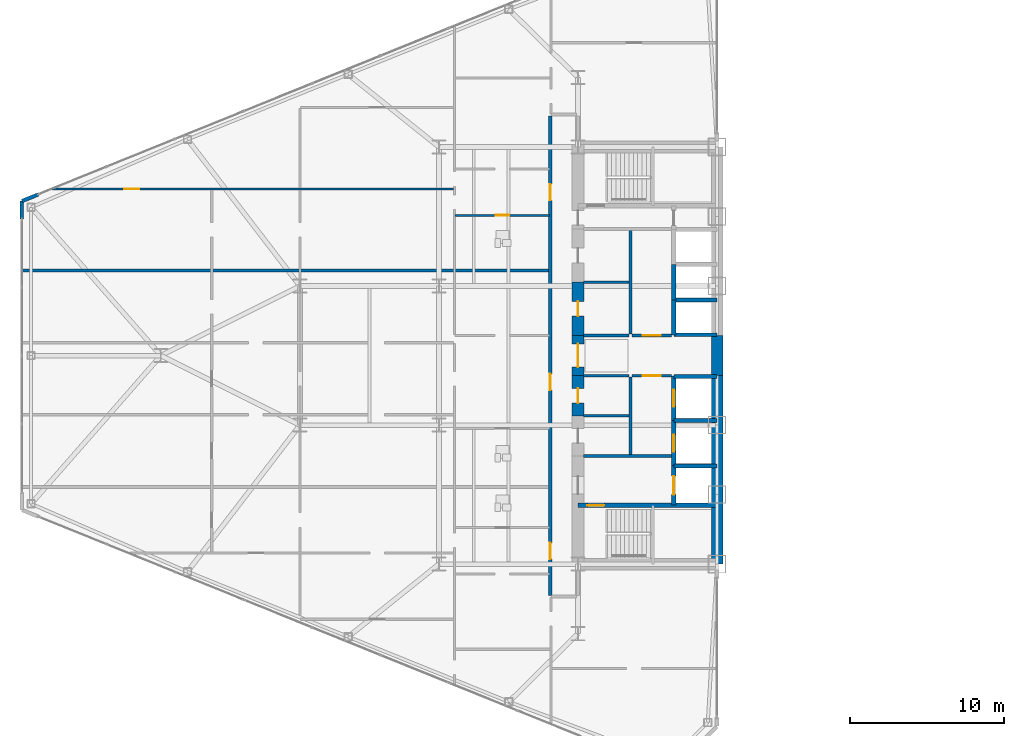
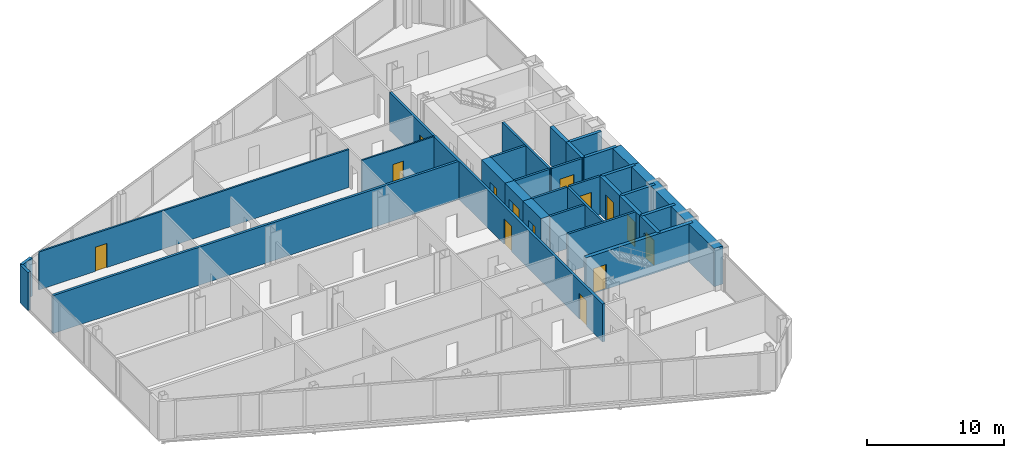
# One storey, part 18 of 25: 31 walls, 14 doors, 14 openings.
"""IFC4 building model written with IfcOpenShell, lengths in metres."""

import ifcopenshell
import ifcopenshell.guid

model = None  # the IFC model being written
_history = None  # IfcOwnerHistory: only IFC2X3 demands one
_inside = {}  # id of a spatial element -> (the spatial element, [elements in it])
_under = {}  # id of a project, library or spatial element -> (it, [spatial elements below it])
_declared = {}  # id of a project -> (the project, [libraries it declares])
_typed = {}  # id of a type object -> (the type object, [elements of that type])
_made_of = {}  # id of a material, layer set ... -> (it, [elements and type objects made of it])


def new_model(schema):
    """Start an empty IFC model of exactly this schema.

    Asked for "IFC4X3", IfcOpenShell would pick the latest addendum, in which some entities
    have other attributes; the version numbers below select the first issue.
    IFC2X3 requires an IfcOwnerHistory on every rooted entity: one is made here for all.
    """
    global model, _history
    if schema == "IFC4X3":
        model = ifcopenshell.file(schema_version=(4, 3, 0, 0))
    else:
        model = ifcopenshell.file(schema=schema)
    _inside.clear()
    _under.clear()
    _declared.clear()
    _typed.clear()
    _made_of.clear()
    _history = None
    if model.schema == "IFC2X3":
        org = make("IfcOrganization", Name="unknown")
        user = make(
            "IfcPersonAndOrganization",
            ThePerson=make("IfcPerson", FamilyName="unknown"),
            TheOrganization=org,
        )
        app = make(
            "IfcApplication",
            ApplicationDeveloper=org,
            Version="unknown",
            ApplicationFullName="unknown",
            ApplicationIdentifier="unknown",
        )
        _history = make(
            "IfcOwnerHistory",
            OwningUser=user,
            OwningApplication=app,
            ChangeAction="ADDED",
            CreationDate=0,
        )
    return model


def make(cls, **values):
    """One entity of the class cls with the attributes given. An attribute that is None is left unset."""
    return model.create_entity(
        cls, **{name: value for name, value in values.items() if value is not None}
    )


def rooted(cls, **values):
    """An entity with a GlobalId (a new one), such as an element, a storey or a relation."""
    return make(cls, GlobalId=ifcopenshell.guid.new(), OwnerHistory=_history, **values)


def si_unit(unit_type, name, prefix=None):
    """IfcSIUnit, for example si_unit("LENGTHUNIT", "METRE", prefix="MILLI")."""
    return make("IfcSIUnit", UnitType=unit_type, Prefix=prefix, Name=name)


def assignment(units):
    """IfcUnitAssignment: the units of a project."""
    return None if units is None else make("IfcUnitAssignment", Units=units)


def point(xyz):
    """IfcCartesianPoint."""
    return None if xyz is None else make("IfcCartesianPoint", Coordinates=xyz)


def direction(xyz):
    """IfcDirection."""
    return None if xyz is None else make("IfcDirection", DirectionRatios=xyz)


def frame(location, z_axis=None, x_axis=None):
    """IfcAxis2Placement3D, a coordinate frame: its origin and axes. An axis left out is left unset."""
    return make(
        "IfcAxis2Placement3D",
        Location=point(location),
        Axis=direction(z_axis),
        RefDirection=direction(x_axis),
    )


def frame_2d(location, x_axis=None):
    """IfcAxis2Placement2D, a coordinate frame in the plane: its origin and x axis."""
    return make(
        "IfcAxis2Placement2D", Location=point(location), RefDirection=direction(x_axis)
    )


def origin():
    """The frame at (0, 0, 0) with its axes left unset."""
    return frame((0.0, 0.0, 0.0))


def place(relative_to, where):
    """IfcLocalPlacement: puts the frame where relative to a parent placement (None: the world)."""
    return make(
        "IfcLocalPlacement", PlacementRelTo=relative_to, RelativePlacement=where
    )


def context(
    kind, dimensions, precision=None, world=None, true_north=None, identifier=None
):
    """IfcGeometricRepresentationContext, for example the 3D "Model" context."""
    return make(
        "IfcGeometricRepresentationContext",
        ContextIdentifier=identifier,
        ContextType=kind,
        CoordinateSpaceDimension=dimensions,
        Precision=precision,
        WorldCoordinateSystem=world,
        TrueNorth=true_north,
    )


def subcontext(parent, identifier, kind, view, scale=None):
    """IfcGeometricRepresentationSubContext, for example "Body" below "Model"."""
    return make(
        "IfcGeometricRepresentationSubContext",
        ContextIdentifier=identifier,
        ContextType=kind,
        ParentContext=parent,
        TargetScale=scale,
        TargetView=view,
    )


def project(units=None, contexts=None):
    """IfcProject with its units and contexts."""
    return rooted(
        "IfcProject",
        Name="project",
        RepresentationContexts=contexts,
        UnitsInContext=assignment(units),
    )


def spatial(cls, under=None, at=None, **own):
    """A site, building, storey or space (cls), placed at a placement, below another one or the project."""
    s = rooted(cls, ObjectPlacement=at, **own)
    if under is not None:
        _under.setdefault(under.id(), (under, []))[1].append(s)
    return s


def profile(cls, at=None, kind="AREA", **sizes):
    """A parametric profile (cls). Its sizes go by their IFC names, for example OverallWidth=200.0."""
    return make(cls, ProfileType=kind, Position=at, **sizes)


def rectangle(**sizes):
    """IfcRectangleProfileDef."""
    return profile("IfcRectangleProfileDef", **sizes)


def extrude(swept, where, along, depth):
    """IfcExtrudedAreaSolid: the profile swept, set in the frame where, extruded along a direction by depth."""
    return make(
        "IfcExtrudedAreaSolid",
        SweptArea=swept,
        Position=where,
        ExtrudedDirection=direction(along),
        Depth=depth,
    )


def shape(context_of_items, identifier, shape_type, items):
    """IfcShapeRepresentation: the items that make up one representation, for example the "Body"."""
    return make(
        "IfcShapeRepresentation",
        ContextOfItems=context_of_items,
        RepresentationIdentifier=identifier,
        RepresentationType=shape_type,
        Items=items,
    )


def source(mapping_origin, context_of_items, identifier, shape_type, items):
    """IfcRepresentationMap: a shape defined once, which mapped items show again and again."""
    return make(
        "IfcRepresentationMap",
        MappingOrigin=mapping_origin,
        MappedRepresentation=shape(context_of_items, identifier, shape_type, items),
    )


def transform(
    local_origin,
    x_axis=None,
    y_axis=None,
    z_axis=None,
    scale=None,
    scale2=None,
    scale3=None,
    uniform=True,
):
    """IfcCartesianTransformationOperator3D, or its non-uniform kind. x_axis, y_axis, z_axis: its Axis1, 2, 3."""
    if uniform:
        return make(
            "IfcCartesianTransformationOperator3D",
            Axis1=direction(x_axis),
            Axis2=direction(y_axis),
            LocalOrigin=point(local_origin),
            Scale=scale,
            Axis3=direction(z_axis),
        )
    return make(
        "IfcCartesianTransformationOperator3DnonUniform",
        Axis1=direction(x_axis),
        Axis2=direction(y_axis),
        LocalOrigin=point(local_origin),
        Scale=scale,
        Axis3=direction(z_axis),
        Scale2=scale2,
        Scale3=scale3,
    )


def mapped(mapping_source, mapping_target):
    """IfcMappedItem: shows the shape of a source again, moved by a transform."""
    return make(
        "IfcMappedItem", MappingSource=mapping_source, MappingTarget=mapping_target
    )


def material(Name=None, Category=None):
    """IfcMaterial."""
    return make("IfcMaterial", Name=Name, Category=Category)


def layer(
    of_material, thickness, ventilated=None, Name=None, Category=None, Priority=None
):
    """IfcMaterialLayer: one layer of a wall or slab, of a material (None: an air gap)."""
    return make(
        "IfcMaterialLayer",
        Material=of_material,
        LayerThickness=thickness,
        IsVentilated=ventilated,
        Name=Name,
        Category=Category,
        Priority=Priority,
    )


def layer_set(layers, Name=None):
    """IfcMaterialLayerSet."""
    return make("IfcMaterialLayerSet", MaterialLayers=layers, LayerSetName=Name)


def made_of(thing, what):
    """Note that an element or type object is made of a material, layer set ...; save() writes the relation."""
    if what is not None:
        _made_of.setdefault(what.id(), (what, []))[1].append(thing)
    return thing


def type_object(cls, material=None, **own):
    """A type object (cls), such as IfcWallType, which elements share."""
    return made_of(rooted(cls, **own), material)


def type_shapes(of_type, sources):
    """Give a type object the sources (RepresentationMaps) that its elements show as mapped items."""
    of_type.RepresentationMaps = sources


def element(
    cls,
    number,
    at=None,
    inside=None,
    cuts=None,
    type_object=None,
    material=None,
    context=None,
    identifier="Body",
    shape_type=None,
    held_by="IfcProductDefinitionShape",
    body=None,
    shapes=None,
    **own,
):
    """One element of the class cls, such as IfcWall. Its Tag is "e" and its number.

    at: its placement. inside: the storey or other place that contains it. cuts: it is an
    opening in that element (IfcRelVoidsElement). A single representation is given by context,
    identifier, shape_type and body (its items); several are given by shapes. held_by: the class
    of the entity that holds the representations. save() writes the other relations.
    """
    e = rooted(cls, Tag="e%d" % number, ObjectPlacement=at, **own)
    if body is not None:
        shapes = [shape(context, identifier, shape_type, body)]
    if shapes is not None:
        e.Representation = make(held_by, Representations=shapes)
    if inside is not None:
        _inside.setdefault(inside.id(), (inside, []))[1].append(e)
    if cuts is not None:
        rooted(
            "IfcRelVoidsElement", RelatingBuildingElement=cuts, RelatedOpeningElement=e
        )
    if type_object is not None:
        _typed.setdefault(type_object.id(), (type_object, []))[1].append(e)
    return made_of(e, material)


def fill(opening, filler):
    """IfcRelFillsElement: the door or window that sits in an opening."""
    return rooted(
        "IfcRelFillsElement",
        RelatingOpeningElement=opening,
        RelatedBuildingElement=filler,
    )


def aggregate(whole, parts):
    """IfcRelAggregates: a whole, such as a stair, and the parts it consists of."""
    return rooted("IfcRelAggregates", RelatingObject=whole, RelatedObjects=parts)


def save(model, path):
    """Write the relations noted so far, then the file.

    IfcRelAggregates (storeys below a building ...), IfcRelContainedInSpatialStructure (elements
    in a storey), IfcRelDefinesByType, IfcRelAssociatesMaterial and IfcRelDeclares: one each for
    every whole, place, type object, material and project.
    """
    for whole, parts in _under.values():
        aggregate(whole, parts)
    for where, things in _inside.values():
        rooted(
            "IfcRelContainedInSpatialStructure",
            RelatedElements=things,
            RelatingStructure=where,
        )
    for kind, things in _typed.values():
        rooted("IfcRelDefinesByType", RelatedObjects=things, RelatingType=kind)
    for what, things in _made_of.values():
        rooted("IfcRelAssociatesMaterial", RelatedObjects=things, RelatingMaterial=what)
    for by, libraries in _declared.values():
        rooted("IfcRelDeclares", RelatingContext=by, RelatedDefinitions=libraries)
    model.write(path)


model = new_model("IFC4")

# Units and contexts
model_context = context("Model", 3, precision=1e-05, world=origin(), true_north=direction((0.0, 1.0)))
body_context = subcontext(model_context, "Body", "Model", "MODEL_VIEW")
ifc_project = project(units=[si_unit("LENGTHUNIT", "METRE"), si_unit("AREAUNIT", "SQUARE_METRE"), si_unit("VOLUMEUNIT", "CUBIC_METRE"), si_unit("PLANEANGLEUNIT", "RADIAN"), si_unit("MASSUNIT", "GRAM", prefix="KILO")], contexts=[model_context])

# Site, building, storey
site_placement = place(None, origin())
site = spatial("IfcSite", under=ifc_project, at=site_placement, CompositionType="ELEMENT")
building_placement = place(site_placement, origin())
building = spatial("IfcBuilding", under=site, at=building_placement, Name="Seokmaru Belvedere", CompositionType="ELEMENT")
storey_placement = place(building_placement, frame((0.0, 0.0, 47.699951171875)))
storey = spatial("IfcBuildingStorey", under=building, at=storey_placement, Name="L12", CompositionType="ELEMENT", Elevation=47.699951171875)

# Wall, opening, door
ifc_material_1 = material(Name="Fire-Rated Gypsum Shaftwall")
ifc_layer_1 = layer(ifc_material_1, 0.14990234375)
ifc_layer_set_1 = layer_set([ifc_layer_1], Name="Fire-Rated Gypsum Shaftwall")
wall_type_1 = type_object("IfcWallType", Name="Apartment Fire-Acoustic Room Partition 150", PredefinedType="PARTITIONING", material=ifc_layer_set_1)
wall_1_placement = place(storey_placement, frame((-70.613037109375, 10.780029296875, 0.0), z_axis=(0.0, 0.0, 1.0), x_axis=(1.0, 0.0, 0.0)))
wall_1 = element("IfcWall", 1, at=wall_1_placement, inside=storey, type_object=wall_type_1, Name="L12 Interior Partition 026", PredefinedType="PARTITIONING", context=body_context, shape_type="SweptSolid", body=[
    extrude(rectangle(XDim=26.06298828125, YDim=0.14990234375, at=frame_2d((13.031494140625, 0.0))), origin(), (0.0, 0.0, 1.0), 3.380126953125),
])
opening_1_placement = place(wall_1_placement, frame((4.748779296875, 0.0, 0.0)))
opening_1 = element("IfcOpeningElement", 2, at=opening_1_placement, cuts=wall_1, Name="Opening D05", PredefinedType="OPENING", context=body_context, shape_type="SweptSolid", body=[
    extrude(rectangle(XDim=0.949951171875, YDim=2.14990234375, at=frame_2d((0.47509765625, 1.074951171875))), frame((0.0, 0.0849609375, 0.0), z_axis=(0.0, -1.0, 0.0), x_axis=(1.0, 0.0, 0.0)), (0.0, 0.0, 1.0), 0.169921875),
])
ifc_material_2 = material(Name="Engineered White Oak Timber", Category="wood")
door_type_1 = type_object("IfcDoorType", Name="Apartment Interior Fire-Rated Oak Door 950x2150", OperationType="NOTDEFINED", PredefinedType="DOOR", material=ifc_material_2)
shared_shape_1 = source(origin(), body_context, "Body", "SweptSolid", [
    extrude(rectangle(XDim=0.949951171875, YDim=2.14990234375, at=frame_2d((0.47509765625, 1.074951171875))), frame((0.0, 0.02490234375, 0.0), z_axis=(0.0, -1.0, 0.0), x_axis=(1.0, 0.0, 0.0)), (0.0, 0.0, 1.0), 0.050048828125),
])
type_shapes(door_type_1, [shared_shape_1])
door_1_placement = place(opening_1_placement, origin())
door_1 = element("IfcDoor", 3, at=door_1_placement, inside=storey, type_object=door_type_1, Name="L12 Interior Door 032", OperationType="SINGLE_SWING_LEFT", OverallHeight=2.14990234375, OverallWidth=0.949951171875, PredefinedType="DOOR", context=body_context, shape_type="MappedRepresentation", body=[
    mapped(shared_shape_1, transform((0.0, 0.0, 0.0), scale=1.0)),
])
fill(opening_1, door_1)

# Walls
ifc_layer_2 = layer(ifc_material_1, 0.179931640625)
ifc_layer_set_2 = layer_set([ifc_layer_2], Name="Fire-Rated Gypsum Shaftwall")
wall_type_2 = type_object("IfcWallType", Name="Core Service Fire Partition 180", PredefinedType="PARTITIONING", material=ifc_layer_set_2)
wall_2_placement = place(storey_placement, frame((-36.14990234375, -6.5, 0.0), z_axis=(0.0, 0.0, 1.0), x_axis=(1.0, 0.0, 0.0)))
element("IfcWall", 4, at=wall_2_placement, inside=storey, type_object=wall_type_2, Name="L12 West Firefighting Lobby Partition", PredefinedType="PARTITIONING", context=body_context, shape_type="SweptSolid", body=[
    extrude(rectangle(XDim=5.699951171875, YDim=0.179931640625, at=frame_2d((2.85009765625, 0.0))), origin(), (0.0, 0.0, 1.0), 3.380126953125),
])
wall_3_placement = place(storey_placement, frame((-33.10009765625, -6.419921875, 0.0), z_axis=(0.0, 0.0, 1.0), x_axis=(0.0, 1.0, 0.0)))
element("IfcWall", 5, at=wall_3_placement, inside=storey, type_object=wall_type_2, Name="L12 West South Core Service Back Wall", PredefinedType="PARTITIONING", context=body_context, shape_type="SweptSolid", body=[
    extrude(rectangle(XDim=5.0400390625, YDim=0.179931640625, at=frame_2d((2.52001953125, 0.0))), origin(), (0.0, 0.0, 1.0), 3.380126953125),
])
wall_4_placement = place(storey_placement, frame((-33.10009765625, 1.3798828125, 0.0), z_axis=(0.0, 0.0, 1.0), x_axis=(0.0, 1.0, 0.0)))
element("IfcWall", 6, at=wall_4_placement, inside=storey, type_object=wall_type_2, Name="L12 West North Core Service Back Wall", PredefinedType="PARTITIONING", context=body_context, shape_type="SweptSolid", body=[
    extrude(rectangle(XDim=6.740234375, YDim=0.179931640625, at=frame_2d((3.3701171875, 0.0))), origin(), (0.0, 0.0, 1.0), 3.380126953125),
])

# Wall, opening, door
wall_5_placement = place(storey_placement, frame((-33.02001953125, -1.300048828125, 0.0), z_axis=(0.0, 0.0, 1.0), x_axis=(1.0, 0.0, 0.0)))
wall_5 = element("IfcWall", 7, at=wall_5_placement, inside=storey, type_object=wall_type_2, Name="L12 West South Lift Lobby Foyer Wall", PredefinedType="PARTITIONING", context=body_context, shape_type="SweptSolid", body=[
    extrude(rectangle(XDim=2.570068359375, YDim=0.179931640625, at=frame_2d((1.28515625, 0.0))), origin(), (0.0, 0.0, 1.0), 3.380126953125),
])
opening_2_placement = place(wall_5_placement, frame((0.7099609375, 0.0, 0.0)))
opening_2 = element("IfcOpeningElement", 8, at=opening_2_placement, cuts=wall_5, Name="Opening D02", PredefinedType="OPENING", context=body_context, shape_type="SweptSolid", body=[
    extrude(rectangle(XDim=1.14990234375, YDim=2.199951171875, at=frame_2d((0.574951171875, 1.10009765625))), frame((0.0, 0.10009765625, 0.0), z_axis=(0.0, -1.0, 0.0), x_axis=(1.0, 0.0, 0.0)), (0.0, 0.0, 1.0), 0.199951171875),
])
ifc_material_3 = material(Name="Fire-Rated Steel Leaf", Category="steel")
door_type_2 = type_object("IfcDoorType", Name="Lobby and Vestibule Fire Door 1150x2200", OperationType="NOTDEFINED", PredefinedType="DOOR", material=ifc_material_3)
shared_shape_2 = source(origin(), body_context, "Body", "SweptSolid", [
    extrude(rectangle(XDim=1.14990234375, YDim=2.199951171875, at=frame_2d((0.574951171875, 1.10009765625))), frame((0.0, 0.02490234375, 0.0), z_axis=(0.0, -1.0, 0.0), x_axis=(1.0, 0.0, 0.0)), (0.0, 0.0, 1.0), 0.050048828125),
])
type_shapes(door_type_2, [shared_shape_2])
door_2_placement = place(opening_2_placement, origin())
door_2 = element("IfcDoor", 9, at=door_2_placement, inside=storey, type_object=door_type_2, Name="L12 West South Core Foyer Door", OperationType="SINGLE_SWING_LEFT", OverallHeight=2.199951171875, OverallWidth=1.14990234375, PredefinedType="DOOR", context=body_context, shape_type="MappedRepresentation", body=[
    mapped(shared_shape_2, transform((0.0, 0.0, 0.0), scale=1.0)),
])
fill(opening_2, door_2)

wall_6_placement = place(storey_placement, frame((-33.02001953125, 1.300048828125, 0.0), z_axis=(0.0, 0.0, 1.0), x_axis=(1.0, 0.0, 0.0)))
wall_6 = element("IfcWall", 10, at=wall_6_placement, inside=storey, type_object=wall_type_2, Name="L12 West North Lift Lobby Foyer Wall", PredefinedType="PARTITIONING", context=body_context, shape_type="SweptSolid", body=[
    extrude(rectangle(XDim=2.570068359375, YDim=0.179931640625, at=frame_2d((1.28515625, 0.0))), origin(), (0.0, 0.0, 1.0), 3.380126953125),
])
opening_3_placement = place(wall_6_placement, frame((0.7099609375, 0.0, 0.0)))
opening_3 = element("IfcOpeningElement", 11, at=opening_3_placement, cuts=wall_6, Name="Opening D02", PredefinedType="OPENING", context=body_context, shape_type="SweptSolid", body=[
    extrude(rectangle(XDim=1.14990234375, YDim=2.199951171875, at=frame_2d((0.574951171875, 1.10009765625))), frame((0.0, 0.10009765625, 0.0), z_axis=(0.0, -1.0, 0.0), x_axis=(1.0, 0.0, 0.0)), (0.0, 0.0, 1.0), 0.199951171875),
])
door_3_placement = place(opening_3_placement, origin())
door_3 = element("IfcDoor", 12, at=door_3_placement, inside=storey, type_object=door_type_2, Name="L12 West North Lift Lobby Door", OperationType="SINGLE_SWING_RIGHT", OverallHeight=2.199951171875, OverallWidth=1.14990234375, PredefinedType="DOOR", context=body_context, shape_type="MappedRepresentation", body=[
    mapped(shared_shape_2, transform((0.0, 0.0, 0.0), scale=1.0)),
])
fill(opening_3, door_3)

# Walls
for number, where, z_axis, x_axis, name in (
    (13, (-36.14990234375, -1.300048828125, 0.0), (0.0, 0.0, 1.0), (1.0, 0.0, 0.0), "L12 West Foyer Side Wall S"),
    (14, (-36.14990234375, 1.300048828125, 0.0), (0.0, 0.0, 1.0), (1.0, 0.0, 0.0), "L12 West Foyer Side Wall N"),
    (15, (-36.14990234375, -3.89990234375, 0.0), (0.0, 0.0, 1.0), (1.0, 0.0, 0.0), "L12 West Core Service Partition 1"),
    (16, (-36.14990234375, 4.75, 0.0), (0.0, 0.0, 1.0), (1.0, 0.0, 0.0), "L12 West Core Service Partition 2"),
):
    element("IfcWall", number, at=place(storey_placement, frame(where, z_axis=z_axis, x_axis=x_axis)), inside=storey, type_object=wall_type_2, Name=name, PredefinedType="PARTITIONING", context=body_context, shape_type="SweptSolid", body=[
        extrude(rectangle(XDim=2.949951171875, YDim=0.179931640625, at=frame_2d((1.47509765625, 0.0))), origin(), (0.0, 0.0, 1.0), 3.380126953125),
    ])
ifc_material_4 = material(Name="Concrete C50 (50 MPa)", Category="concrete")
ifc_layer_3 = layer(ifc_material_4, 0.25)
ifc_layer_set_3 = layer_set([ifc_layer_3], Name="Concrete C50 (50 MPa)")
wall_type_3 = type_object("IfcWallType", Name="Hoistway Transverse Concrete Divider Wall 250", PredefinedType="SHEAR", material=ifc_layer_set_3)
for number, where, z_axis, x_axis, name in (
    (17, (-30.300048828125, -7.14990234375, 0.0), (0.0, 0.0, 1.0), (1.0, 0.0, 0.0), "L12 West Hoistway Divider Core Wall 1"),
    (18, (-30.300048828125, -4.199951171875, 0.0), (0.0, 0.0, 1.0), (1.0, 0.0, 0.0), "L12 West Hoistway Divider Core Wall 2"),
    (19, (-30.300048828125, -1.35009765625, 0.0), (0.0, 0.0, 1.0), (1.0, 0.0, 0.0), "L12 West Hoistway Divider Core Wall 3"),
    (20, (-30.300048828125, 1.35009765625, 0.0), (0.0, 0.0, 1.0), (1.0, 0.0, 0.0), "L12 West Hoistway Divider Core Wall 4"),
    (21, (-30.300048828125, 3.60009765625, 0.0), (0.0, 0.0, 1.0), (1.0, 0.0, 0.0), "L12 West Hoistway Divider Core Wall 5"),
):
    element("IfcWall", number, at=place(storey_placement, frame(where, z_axis=z_axis, x_axis=x_axis)), inside=storey, type_object=wall_type_3, Name=name, PredefinedType="SHEAR", context=body_context, shape_type="SweptSolid", body=[
        extrude(rectangle(XDim=2.800048828125, YDim=0.25, at=frame_2d((1.39990234375, 0.0))), origin(), (0.0, 0.0, 1.0), 3.380126953125),
    ])
ifc_layer_4 = layer(ifc_material_1, 0.199951171875)
ifc_layer_set_4 = layer_set([ifc_layer_4], Name="Fire-Rated Gypsum Shaftwall")
wall_type_4 = type_object("IfcWallType", Name="Inter-Tenancy Fire Compartment Partition 200", PredefinedType="PARTITIONING", material=ifc_layer_set_4)
wall_7_placement = place(storey_placement, frame((-72.5048828125, 5.5, 0.0), z_axis=(0.0, 0.0, 1.0), x_axis=(1.0, 0.0, 0.0)))
element("IfcWall", 22, at=wall_7_placement, inside=storey, type_object=wall_type_4, Name="L12 Interior Partition 022", PredefinedType="PARTITIONING", context=body_context, shape_type="SweptSolid", body=[
    extrude(rectangle(XDim=34.125, YDim=0.199951171875, at=frame_2d((17.0625, 0.0))), origin(), (0.0, 0.0, 1.0), 3.380126953125),
])

# Wall, openings, doors
wall_8_placement = place(storey_placement, frame((-38.300048828125, -15.514892578125, 0.0), z_axis=(0.0, 0.0, 1.0), x_axis=(0.0, 1.0, 0.0)))
wall_8 = element("IfcWall", 23, at=wall_8_placement, inside=storey, type_object=wall_type_4, Name="L12 Interior Partition 038", PredefinedType="PARTITIONING", context=body_context, shape_type="SweptSolid", body=[
    extrude(rectangle(XDim=31.02978515625, YDim=0.199951171875, at=frame_2d((15.514892578125, 0.0))), origin(), (0.0, 0.0, 1.0), 3.380126953125),
])
opening_4_placement = place(wall_8_placement, frame((2.344970703125, 0.0, 0.0)))
opening_4 = element("IfcOpeningElement", 24, at=opening_4_placement, cuts=wall_8, Name="Opening D03", PredefinedType="OPENING", context=body_context, shape_type="SweptSolid", body=[
    extrude(rectangle(XDim=1.050048828125, YDim=2.25, at=frame_2d((0.52490234375, 1.125))), frame((0.0, 0.10986328125, 0.0), z_axis=(0.0, -1.0, 0.0), x_axis=(1.0, 0.0, 0.0)), (0.0, 0.0, 1.0), 0.219970703125),
])
opening_5_placement = place(wall_8_placement, frame((13.280029296875, 0.0, 0.0)))
opening_5 = element("IfcOpeningElement", 25, at=opening_5_placement, cuts=wall_8, Name="Opening D03", PredefinedType="OPENING", context=body_context, shape_type="SweptSolid", body=[
    extrude(rectangle(XDim=1.050048828125, YDim=2.25, at=frame_2d((0.52490234375, 1.125))), frame((0.0, 0.10986328125, 0.0), z_axis=(0.0, -1.0, 0.0), x_axis=(1.0, 0.0, 0.0)), (0.0, 0.0, 1.0), 0.219970703125),
])
opening_6_placement = place(wall_8_placement, frame((25.5673828125, 0.0, 0.0)))
opening_6 = element("IfcOpeningElement", 26, at=opening_6_placement, cuts=wall_8, Name="Opening D03", PredefinedType="OPENING", context=body_context, shape_type="SweptSolid", body=[
    extrude(rectangle(XDim=1.050048828125, YDim=2.25, at=frame_2d((0.52490234375, 1.125))), frame((0.0, 0.10986328125, 0.0), z_axis=(0.0, -1.0, 0.0), x_axis=(1.0, 0.0, 0.0)), (0.0, 0.0, 1.0), 0.219970703125),
])
door_type_3 = type_object("IfcDoorType", Name="Apartment Entrance Fire Door 1050x2250", OperationType="NOTDEFINED", PredefinedType="DOOR", material=ifc_material_3)
shared_shape_3 = source(origin(), body_context, "Body", "SweptSolid", [
    extrude(rectangle(XDim=1.050048828125, YDim=2.25, at=frame_2d((0.52490234375, 1.125))), frame((0.0, 0.02490234375, 0.0), z_axis=(0.0, -1.0, 0.0), x_axis=(1.0, 0.0, 0.0)), (0.0, 0.0, 1.0), 0.050048828125),
])
type_shapes(door_type_3, [shared_shape_3])
door_4_placement = place(opening_4_placement, origin())
door_4 = element("IfcDoor", 27, at=door_4_placement, inside=storey, type_object=door_type_3, Name="L12 Interior Door 001", OperationType="SINGLE_SWING_RIGHT", OverallHeight=2.25, OverallWidth=1.050048828125, PredefinedType="DOOR", context=body_context, shape_type="MappedRepresentation", body=[
    mapped(shared_shape_3, transform((0.0, 0.0, 0.0), scale=1.0)),
])
fill(opening_4, door_4)
door_5_placement = place(opening_5_placement, origin())
door_5 = element("IfcDoor", 28, at=door_5_placement, inside=storey, type_object=door_type_3, Name="L12 Interior Door 013", OperationType="SINGLE_SWING_LEFT", OverallHeight=2.25, OverallWidth=1.050048828125, PredefinedType="DOOR", context=body_context, shape_type="MappedRepresentation", body=[
    mapped(shared_shape_3, transform((0.0, 0.0, 0.0), scale=1.0)),
])
fill(opening_5, door_5)
door_6_placement = place(opening_6_placement, origin())
door_6 = element("IfcDoor", 29, at=door_6_placement, inside=storey, type_object=door_type_3, Name="L12 Interior Door 025", OperationType="SINGLE_SWING_RIGHT", OverallHeight=2.25, OverallWidth=1.050048828125, PredefinedType="DOOR", context=body_context, shape_type="MappedRepresentation", body=[
    mapped(shared_shape_3, transform((0.0, 0.0, 0.0), scale=1.0)),
])
fill(opening_6, door_6)

# Wall, opening, door
ifc_layer_5 = layer(ifc_material_4, 0.300048828125)
ifc_layer_set_5 = layer_set([ifc_layer_5], Name="Concrete C50 (50 MPa)")
wall_type_5 = type_object("IfcWallType", Name="Internal Core Stair and Hoistway Wall 300", PredefinedType="SHEAR", material=ifc_layer_set_5)
wall_9_placement = place(storey_placement, frame((-36.5, -9.699951171875, 0.0), z_axis=(0.0, 0.0, 1.0), x_axis=(1.0, 0.0, 0.0)))
wall_9 = element("IfcWall", 30, at=wall_9_placement, inside=storey, type_object=wall_type_5, Name="L12 West Stair ST-1 Enclosure Wall", PredefinedType="SHEAR", context=body_context, shape_type="SweptSolid", body=[
    extrude(rectangle(XDim=9.0, YDim=0.300048828125, at=frame_2d((4.5, 0.0))), origin(), (0.0, 0.0, 1.0), 3.380126953125),
])
opening_7_placement = place(wall_9_placement, frame((0.60009765625, 0.0, 0.0)))
opening_7 = element("IfcOpeningElement", 31, at=opening_7_placement, cuts=wall_9, Name="Opening D01", PredefinedType="OPENING", context=body_context, shape_type="SweptSolid", body=[
    extrude(rectangle(XDim=1.10009765625, YDim=2.199951171875, at=frame_2d((0.550048828125, 1.10009765625))), frame((0.0, 0.16015625, 0.0), z_axis=(0.0, -1.0, 0.0), x_axis=(1.0, 0.0, 0.0)), (0.0, 0.0, 1.0), 0.320068359375),
])
door_type_4 = type_object("IfcDoorType", Name="Special Escape Stair Smokeproof Fire Door 1100x2200", OperationType="NOTDEFINED", PredefinedType="DOOR", material=ifc_material_3)
shared_shape_4 = source(origin(), body_context, "Body", "SweptSolid", [
    extrude(rectangle(XDim=1.10009765625, YDim=2.199951171875, at=frame_2d((0.550048828125, 1.10009765625))), frame((0.0, 0.02490234375, 0.0), z_axis=(0.0, -1.0, 0.0), x_axis=(1.0, 0.0, 0.0)), (0.0, 0.0, 1.0), 0.050048828125),
])
type_shapes(door_type_4, [shared_shape_4])
door_7_placement = place(opening_7_placement, frame((1.10009765625, 0.0, 0.0), z_axis=(0.0, 0.0, 1.0), x_axis=(-1.0, 0.0, 0.0)))
door_7 = element("IfcDoor", 32, at=door_7_placement, inside=storey, type_object=door_type_4, Name="L12 West Special Escape Stair ST-1 Door", OperationType="SINGLE_SWING_LEFT", OverallHeight=2.199951171875, OverallWidth=1.10009765625, PredefinedType="DOOR", context=body_context, shape_type="MappedRepresentation", body=[
    mapped(shared_shape_4, transform((0.0, 0.0, 0.0), scale=1.0)),
])
fill(opening_7, door_7)

wall_10_placement = place(storey_placement, frame((-30.300048828125, -9.679931640625, 0.0), z_axis=(0.0, 0.0, 1.0), x_axis=(0.0, 1.0, 0.0)))
wall_10 = element("IfcWall", 33, at=wall_10_placement, inside=storey, type_object=wall_type_5, Name="L12 West Firefighting Lift Shaft Front Wall", PredefinedType="SHEAR", context=body_context, shape_type="SweptSolid", body=[
    extrude(rectangle(XDim=2.559814453125, YDim=0.300048828125, at=frame_2d((1.27978515625, 0.0))), origin(), (0.0, 0.0, 1.0), 3.380126953125),
])
opening_8_placement = place(wall_10_placement, frame((0.679931640625, 0.0, 0.0)))
opening_8 = element("IfcOpeningElement", 34, at=opening_8_placement, cuts=wall_10, Name="Opening LD2", PredefinedType="OPENING", context=body_context, shape_type="SweptSolid", body=[
    extrude(rectangle(XDim=1.199951171875, YDim=2.25, at=frame_2d((0.60009765625, 1.125))), frame((0.0, 0.16015625, 0.0), z_axis=(0.0, -1.0, 0.0), x_axis=(1.0, 0.0, 0.0)), (0.0, 0.0, 1.0), 0.320068359375),
])
ifc_material_5 = material(Name="Stainless Steel 316", Category="steel")
door_type_5 = type_object("IfcDoorType", Name="Firefighting Lift Sliding Landing Door 1200x2250", OperationType="DOUBLE_DOOR_SLIDING", PredefinedType="DOOR", material=ifc_material_5)
shared_shape_5 = source(origin(), body_context, "Body", "SweptSolid", [
    extrude(rectangle(XDim=1.199951171875, YDim=2.25, at=frame_2d((0.60009765625, 1.125))), frame((0.0, 0.02490234375, 0.0), z_axis=(0.0, -1.0, 0.0), x_axis=(1.0, 0.0, 0.0)), (0.0, 0.0, 1.0), 0.050048828125),
])
type_shapes(door_type_5, [shared_shape_5])
door_8_placement = place(opening_8_placement, origin())
door_8 = element("IfcDoor", 35, at=door_8_placement, inside=storey, type_object=door_type_5, Name="L12 West Firefighting Lift Landing Door", OperationType="DOUBLE_DOOR_SLIDING", OverallHeight=2.25, OverallWidth=1.199951171875, PredefinedType="DOOR", context=body_context, shape_type="MappedRepresentation", body=[
    mapped(shared_shape_5, transform((0.0, 0.0, 0.0), scale=1.0)),
])
fill(opening_8, door_8)

wall_11_placement = place(storey_placement, frame((-30.300048828125, -7.1201171875, 0.0), z_axis=(0.0, 0.0, 1.0), x_axis=(0.0, 1.0, 0.0)))
wall_11 = element("IfcWall", 36, at=wall_11_placement, inside=storey, type_object=wall_type_5, Name="L12 West Low-Rise Lift PL-1 Front Wall", PredefinedType="SHEAR", context=body_context, shape_type="SweptSolid", body=[
    extrude(rectangle(XDim=2.920166015625, YDim=0.300048828125, at=frame_2d((1.4599609375, 0.0))), origin(), (0.0, 0.0, 1.0), 3.380126953125),
])
opening_9_placement = place(wall_11_placement, frame((0.909912109375, 0.0, 0.0)))
opening_9 = element("IfcOpeningElement", 37, at=opening_9_placement, cuts=wall_11, Name="Opening LD1", PredefinedType="OPENING", context=body_context, shape_type="SweptSolid", body=[
    extrude(rectangle(XDim=1.10009765625, YDim=2.199951171875, at=frame_2d((0.550048828125, 1.10009765625))), frame((0.0, 0.16015625, 0.0), z_axis=(0.0, -1.0, 0.0), x_axis=(1.0, 0.0, 0.0)), (0.0, 0.0, 1.0), 0.320068359375),
])
door_type_6 = type_object("IfcDoorType", Name="Passenger Lift Sliding Landing Door 1100x2200", OperationType="DOUBLE_DOOR_SLIDING", PredefinedType="DOOR", material=ifc_material_5)
shared_shape_6 = source(origin(), body_context, "Body", "SweptSolid", [
    extrude(rectangle(XDim=1.10009765625, YDim=2.199951171875, at=frame_2d((0.550048828125, 1.10009765625))), frame((0.0, 0.02490234375, 0.0), z_axis=(0.0, -1.0, 0.0), x_axis=(1.0, 0.0, 0.0)), (0.0, 0.0, 1.0), 0.050048828125),
])
type_shapes(door_type_6, [shared_shape_6])
door_9_placement = place(opening_9_placement, origin())
door_9 = element("IfcDoor", 38, at=door_9_placement, inside=storey, type_object=door_type_6, Name="L12 West Low-Rise Lift PL-1 Landing Door", OperationType="DOUBLE_DOOR_SLIDING", OverallHeight=2.199951171875, OverallWidth=1.10009765625, PredefinedType="DOOR", context=body_context, shape_type="MappedRepresentation", body=[
    mapped(shared_shape_6, transform((0.0, 0.0, 0.0), scale=1.0)),
])
fill(opening_9, door_9)

wall_12_placement = place(storey_placement, frame((-30.300048828125, -4.199951171875, 0.0), z_axis=(0.0, 0.0, 1.0), x_axis=(0.0, 1.0, 0.0)))
wall_12 = element("IfcWall", 39, at=wall_12_placement, inside=storey, type_object=wall_type_5, Name="L12 West Low-Rise Lift PL-2 Front Wall", PredefinedType="SHEAR", context=body_context, shape_type="SweptSolid", body=[
    extrude(rectangle(XDim=2.8798828125, YDim=0.300048828125, at=frame_2d((1.43994140625, 0.0))), origin(), (0.0, 0.0, 1.0), 3.380126953125),
])
opening_10_placement = place(wall_12_placement, frame((0.889892578125, 0.0, 0.0)))
opening_10 = element("IfcOpeningElement", 40, at=opening_10_placement, cuts=wall_12, Name="Opening LD1", PredefinedType="OPENING", context=body_context, shape_type="SweptSolid", body=[
    extrude(rectangle(XDim=1.10009765625, YDim=2.199951171875, at=frame_2d((0.550048828125, 1.10009765625))), frame((0.0, 0.16015625, 0.0), z_axis=(0.0, -1.0, 0.0), x_axis=(1.0, 0.0, 0.0)), (0.0, 0.0, 1.0), 0.320068359375),
])
door_10_placement = place(opening_10_placement, origin())
door_10 = element("IfcDoor", 41, at=door_10_placement, inside=storey, type_object=door_type_6, Name="L12 West Low-Rise Lift PL-2 Landing Door", OperationType="DOUBLE_DOOR_SLIDING", OverallHeight=2.199951171875, OverallWidth=1.10009765625, PredefinedType="DOOR", context=body_context, shape_type="MappedRepresentation", body=[
    mapped(shared_shape_6, transform((0.0, 0.0, 0.0), scale=1.0)),
])
fill(opening_10, door_10)

# Walls
wall_13_placement = place(storey_placement, frame((-30.300048828125, 1.320068359375, 0.0), z_axis=(0.0, 0.0, 1.0), x_axis=(0.0, 1.0, 0.0)))
element("IfcWall", 42, at=wall_13_placement, inside=storey, type_object=wall_type_5, Name="L12 West North Hoistway Wall PH1", PredefinedType="SHEAR", context=body_context, shape_type="SweptSolid", body=[
    extrude(rectangle(XDim=2.280029296875, YDim=0.300048828125, at=frame_2d((1.14013671875, 0.0))), origin(), (0.0, 0.0, 1.0), 3.380126953125),
])
wall_14_placement = place(storey_placement, frame((-30.300048828125, 3.60009765625, 0.0), z_axis=(0.0, 0.0, 1.0), x_axis=(0.0, 1.0, 0.0)))
element("IfcWall", 43, at=wall_14_placement, inside=storey, type_object=wall_type_5, Name="L12 West North Hoistway Wall PH2", PredefinedType="SHEAR", context=body_context, shape_type="SweptSolid", body=[
    extrude(rectangle(XDim=2.2998046875, YDim=0.300048828125, at=frame_2d((1.14990234375, 0.0))), origin(), (0.0, 0.0, 1.0), 3.380126953125),
])
ifc_material_6 = material(Name="Concrete C60 (60 MPa)", Category="concrete")
ifc_layer_6 = layer(ifc_material_6, 0.75)
ifc_layer_set_6 = layer_set([ifc_layer_6], Name="Concrete C60 (60 MPa)")
wall_type_6 = type_object("IfcWallType", Name="Lower Tower Reinforced Concrete Core Wall 750", PredefinedType="SHEAR", material=ifc_layer_set_6)
wall_15_placement = place(storey_placement, frame((-27.5, -13.5, 0.0), z_axis=(0.0, 0.0, 1.0), x_axis=(0.0, 1.0, 0.0)))
element("IfcWall", 44, at=wall_15_placement, inside=storey, type_object=wall_type_6, Name="L12 West Portal Spine Core Wall South", PredefinedType="SHEAR", context=body_context, shape_type="SweptSolid", body=[
    extrude(rectangle(XDim=12.199951171875, YDim=0.75, at=frame_2d((6.10009765625, 0.0))), origin(), (0.0, 0.0, 1.0), 3.380126953125),
])
wall_16_placement = place(storey_placement, frame((-27.5, -1.300048828125, 0.0), z_axis=(0.0, 0.0, 1.0), x_axis=(0.0, 1.0, 0.0)))
element("IfcWall", 45, at=wall_16_placement, inside=storey, type_object=wall_type_6, Name="L12 West Portal Spine Core Wall Center", PredefinedType="SHEAR", context=body_context, shape_type="SweptSolid", body=[
    extrude(rectangle(XDim=2.60009765625, YDim=0.75, at=frame_2d((1.300048828125, 0.0))), origin(), (0.0, 0.0, 1.0), 3.380126953125),
])

# Wall, opening, door
wall_17_placement = place(storey_placement, frame((-36.5, -1.300048828125, 0.0), z_axis=(0.0, 0.0, 1.0), x_axis=(0.0, 1.0, 0.0)))
wall_17 = element("IfcWall", 46, at=wall_17_placement, inside=storey, type_object=wall_type_6, Name="L12 West West Core Wall FOY", PredefinedType="SHEAR", context=body_context, shape_type="SweptSolid", body=[
    extrude(rectangle(XDim=2.60009765625, YDim=0.75, at=frame_2d((1.300048828125, 0.0))), origin(), (0.0, 0.0, 1.0), 3.380126953125),
])
opening_11_placement = place(wall_17_placement, frame((0.550048828125, 0.0, 0.0)))
opening_11 = element("IfcOpeningElement", 47, at=opening_11_placement, cuts=wall_17, Name="Opening D08", PredefinedType="OPENING", context=body_context, shape_type="SweptSolid", body=[
    extrude(rectangle(XDim=1.5, YDim=2.300048828125, at=frame_2d((0.75, 1.14990234375))), frame((0.0, 0.385009765625, 0.0), z_axis=(0.0, -1.0, 0.0), x_axis=(1.0, 0.0, 0.0)), (0.0, 0.0, 1.0), 0.77001953125),
])
door_type_7 = type_object("IfcDoorType", Name="Cross-Corridor Compartment Double Fire Door 1500x2300", OperationType="DOUBLE_SWING_LEFT", PredefinedType="DOOR", material=ifc_material_3)
shared_shape_7 = source(origin(), body_context, "Body", "SweptSolid", [
    extrude(rectangle(XDim=1.5, YDim=2.300048828125, at=frame_2d((0.75, 1.14990234375))), frame((0.0, 0.02490234375, 0.0), z_axis=(0.0, -1.0, 0.0), x_axis=(1.0, 0.0, 0.0)), (0.0, 0.0, 1.0), 0.050048828125),
])
type_shapes(door_type_7, [shared_shape_7])
door_11_placement = place(opening_11_placement, origin())
door_11 = element("IfcDoor", 48, at=door_11_placement, inside=storey, type_object=door_type_7, Name="L12 West Core Foyer Compartment Door", OperationType="DOUBLE_SWING_LEFT", OverallHeight=2.300048828125, OverallWidth=1.5, PredefinedType="DOOR", context=body_context, shape_type="MappedRepresentation", body=[
    mapped(shared_shape_7, transform((0.0, 0.0, 0.0), scale=1.0)),
])
fill(opening_11, door_11)

wall_18_placement = place(storey_placement, frame((-36.5, -3.89990234375, 0.0), z_axis=(0.0, 0.0, 1.0), x_axis=(0.0, 1.0, 0.0)))
wall_18 = element("IfcWall", 49, at=wall_18_placement, inside=storey, type_object=wall_type_6, Name="L12 West West Core Wall CS2", PredefinedType="SHEAR", context=body_context, shape_type="SweptSolid", body=[
    extrude(rectangle(XDim=2.599853515625, YDim=0.75, at=frame_2d((1.2998046875, 0.0))), origin(), (0.0, 0.0, 1.0), 3.380126953125),
])
opening_12_placement = place(wall_18_placement, frame((0.824951171875, 0.0, 0.0)))
opening_12 = element("IfcOpeningElement", 50, at=opening_12_placement, cuts=wall_18, Name="Opening D04", PredefinedType="OPENING", context=body_context, shape_type="SweptSolid", body=[
    extrude(rectangle(XDim=0.949951171875, YDim=2.14990234375, at=frame_2d((0.47509765625, 1.074951171875))), frame((0.0, 0.385009765625, 0.0), z_axis=(0.0, -1.0, 0.0), x_axis=(1.0, 0.0, 0.0)), (0.0, 0.0, 1.0), 0.77001953125),
])
door_type_8 = type_object("IfcDoorType", Name="Core Service Room Fire Door 950x2150", OperationType="NOTDEFINED", PredefinedType="DOOR", material=ifc_material_3)
shared_shape_8 = source(origin(), body_context, "Body", "SweptSolid", [
    extrude(rectangle(XDim=0.949951171875, YDim=2.14990234375, at=frame_2d((0.47509765625, 1.074951171875))), frame((0.0, 0.02490234375, 0.0), z_axis=(0.0, -1.0, 0.0), x_axis=(1.0, 0.0, 0.0)), (0.0, 0.0, 1.0), 0.050048828125),
])
type_shapes(door_type_8, [shared_shape_8])
door_12_placement = place(opening_12_placement, origin())
door_12 = element("IfcDoor", 51, at=door_12_placement, inside=storey, type_object=door_type_8, Name="L12 West Core Service Room Door 2", OperationType="SINGLE_SWING_RIGHT", OverallHeight=2.14990234375, OverallWidth=0.949951171875, PredefinedType="DOOR", context=body_context, shape_type="MappedRepresentation", body=[
    mapped(shared_shape_8, transform((0.0, 0.0, 0.0), scale=1.0)),
])
fill(opening_12, door_12)

wall_19_placement = place(storey_placement, frame((-36.5, 1.300048828125, 0.0), z_axis=(0.0, 0.0, 1.0), x_axis=(0.0, 1.0, 0.0)))
wall_19 = element("IfcWall", 52, at=wall_19_placement, inside=storey, type_object=wall_type_6, Name="L12 West West Core Wall CS3", PredefinedType="SHEAR", context=body_context, shape_type="SweptSolid", body=[
    extrude(rectangle(XDim=3.449951171875, YDim=0.75, at=frame_2d((1.72509765625, 0.0))), origin(), (0.0, 0.0, 1.0), 3.380126953125),
])
opening_13_placement = place(wall_19_placement, frame((1.25, 0.0, 0.0)))
opening_13 = element("IfcOpeningElement", 53, at=opening_13_placement, cuts=wall_19, Name="Opening D04", PredefinedType="OPENING", context=body_context, shape_type="SweptSolid", body=[
    extrude(rectangle(XDim=0.949951171875, YDim=2.14990234375, at=frame_2d((0.47509765625, 1.074951171875))), frame((0.0, 0.385009765625, 0.0), z_axis=(0.0, -1.0, 0.0), x_axis=(1.0, 0.0, 0.0)), (0.0, 0.0, 1.0), 0.77001953125),
])
door_13_placement = place(opening_13_placement, origin())
door_13 = element("IfcDoor", 54, at=door_13_placement, inside=storey, type_object=door_type_8, Name="L12 West Core Service Room Door 3", OperationType="SINGLE_SWING_LEFT", OverallHeight=2.14990234375, OverallWidth=0.949951171875, PredefinedType="DOOR", context=body_context, shape_type="MappedRepresentation", body=[
    mapped(shared_shape_8, transform((0.0, 0.0, 0.0), scale=1.0)),
])
fill(opening_13, door_13)

ifc_layer_7 = layer(ifc_material_1, 0.1298828125)
ifc_layer_set_7 = layer_set([ifc_layer_7], Name="Fire-Rated Gypsum Shaftwall")
wall_type_7 = type_object("IfcWallType", Name="Moisture-Resistant Fire-Rated Bathroom Partition 130", PredefinedType="PARTITIONING", material=ifc_layer_set_7)
wall_20_placement = place(storey_placement, frame((-44.449951171875, 9.080078125, 0.0), z_axis=(0.0, 0.0, 1.0), x_axis=(1.0, 0.0, 0.0)))
wall_20 = element("IfcWall", 55, at=wall_20_placement, inside=storey, type_object=wall_type_7, Name="L12 Interior Partition 024", PredefinedType="PARTITIONING", context=body_context, shape_type="SweptSolid", body=[
    extrude(rectangle(XDim=6.099853515625, YDim=0.1298828125, at=frame_2d((3.0498046875, 0.0))), origin(), (0.0, 0.0, 1.0), 3.380126953125),
])
opening_14_placement = place(wall_20_placement, frame((2.610107421875, 0.0, 0.0)))
opening_14 = element("IfcOpeningElement", 56, at=opening_14_placement, cuts=wall_20, Name="Opening D06", PredefinedType="OPENING", context=body_context, shape_type="SweptSolid", body=[
    extrude(rectangle(XDim=0.8798828125, YDim=2.10009765625, at=frame_2d((0.43994140625, 1.050048828125))), frame((0.0, 0.074951171875, 0.0), z_axis=(0.0, -1.0, 0.0), x_axis=(1.0, 0.0, 0.0)), (0.0, 0.0, 1.0), 0.14990234375),
])
door_type_9 = type_object("IfcDoorType", Name="Bathroom and Restroom Fire-Rated Door 880x2100", OperationType="NOTDEFINED", PredefinedType="DOOR", material=ifc_material_2)
shared_shape_9 = source(origin(), body_context, "Body", "SweptSolid", [
    extrude(rectangle(XDim=0.8798828125, YDim=2.10009765625, at=frame_2d((0.43994140625, 1.050048828125))), frame((0.0, 0.02490234375, 0.0), z_axis=(0.0, -1.0, 0.0), x_axis=(1.0, 0.0, 0.0)), (0.0, 0.0, 1.0), 0.050048828125),
])
type_shapes(door_type_9, [shared_shape_9])
door_14_placement = place(opening_14_placement, origin())
door_14 = element("IfcDoor", 57, at=door_14_placement, inside=storey, type_object=door_type_9, Name="L12 Interior Door 026", OperationType="SINGLE_SWING_LEFT", OverallHeight=2.10009765625, OverallWidth=0.8798828125, PredefinedType="DOOR", context=body_context, shape_type="MappedRepresentation", body=[
    mapped(shared_shape_9, transform((0.0, 0.0, 0.0), scale=1.0)),
])
fill(opening_14, door_14)

# Walls
ifc_material_7 = material(Name="Anodised Bronze Aluminium", Category="aluminium")
ifc_layer_8 = layer(ifc_material_7, 0.239990234375)
ifc_layer_set_8 = layer_set([ifc_layer_8], Name="Anodised Bronze Aluminium")
wall_type_8 = type_object("IfcWallType", Name="Tower Corner Spandrel Closure Wall 240", PredefinedType="SOLIDWALL", material=ifc_layer_set_8)
for number, where, z_axis, x_axis, name in (
    (58, (-71.43408203125, 10.431396484375, 0.0), (0.0, 0.0, 1.0), (-0.927007103665, -0.375043770452, 0.0), "L12 W Corner Closure Pier 3B"),
    (59, (-72.5, 9.989990234375, 0.0), (0.0, 0.0, 1.0), (0.0, -1.0, 0.0), "L12 W Corner Closure Pier 4A"),
):
    element("IfcWall", number, at=place(storey_placement, frame(where, z_axis=z_axis, x_axis=x_axis)), inside=storey, type_object=wall_type_8, Name=name, PredefinedType="SOLIDWALL", context=body_context, shape_type="SweptSolid", body=[
        extrude(rectangle(XDim=1.139892578125, YDim=0.239990234375, at=frame_2d((0.56982421875, 0.0))), origin(), (0.0, 0.0, 1.0), 3.380126953125),
    ])

save(model, "model.ifc")
